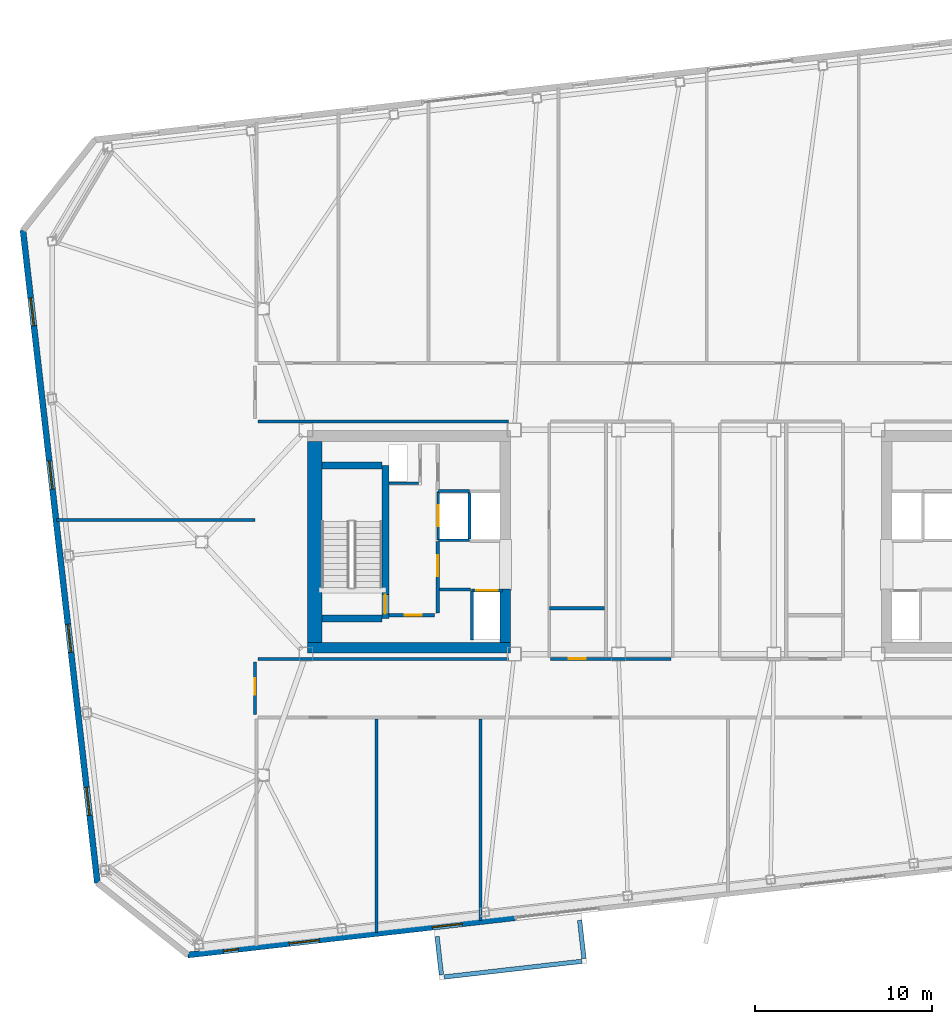
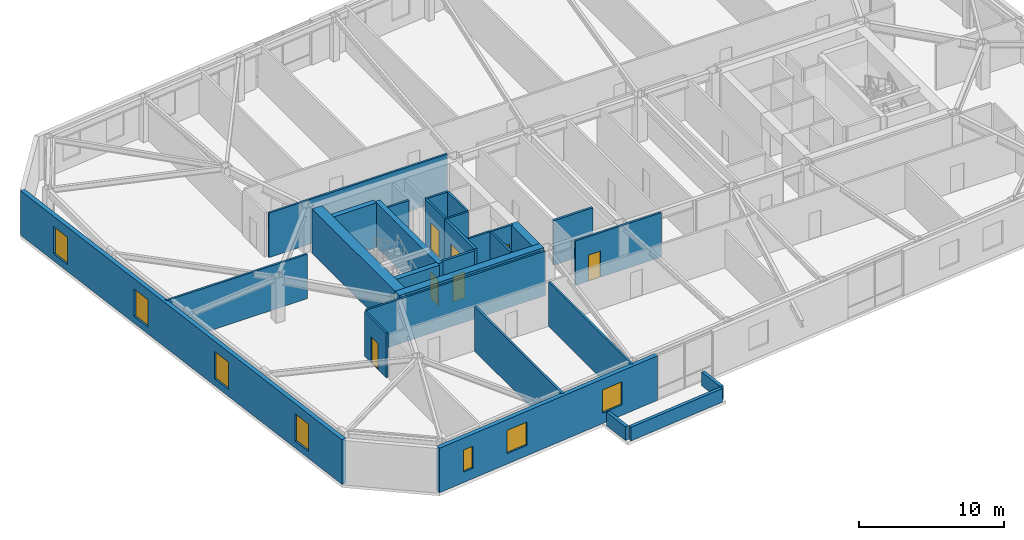
# One storey, part 12 of 18: 29 walls, 7 doors, 7 windows, 14 openings.
"""IFC4 building model written with IfcOpenShell, lengths in metres."""

from ifc_helpers import new_model, si_unit, direction, frame, frame_2d, origin, place, context, subcontext, project, spatial, rectangle, extrude, material, layer, layer_set, type_object, element, fill, save


model = new_model("IFC4")

# Units and contexts
model_context = context("Model", 3, precision=1e-05, world=origin(), true_north=direction((0.0, 1.0)))
body_context = subcontext(model_context, "Body", "Model", "MODEL_VIEW")
ifc_project = project(units=[si_unit("LENGTHUNIT", "METRE"), si_unit("AREAUNIT", "SQUARE_METRE"), si_unit("VOLUMEUNIT", "CUBIC_METRE"), si_unit("PLANEANGLEUNIT", "RADIAN"), si_unit("MASSUNIT", "GRAM", prefix="KILO")], contexts=[model_context])

# Site, building, storey
site_placement = place(None, origin())
site = spatial("IfcSite", under=ifc_project, at=site_placement, CompositionType="ELEMENT")
building_placement = place(site_placement, origin())
building = spatial("IfcBuilding", under=site, at=building_placement, Name="Tavrogorsk Clinical Tower", CompositionType="ELEMENT")
storey_placement = place(building_placement, frame((0.0, 0.0, 230.199951171875)))
storey = spatial("IfcBuildingStorey", under=building, at=storey_placement, Name="L53", CompositionType="ELEMENT", Elevation=230.199951171875)

# Wall, opening, door
ifc_material_1 = material(Name="Concrete B60", Category="concrete")
ifc_layer_1 = layer(ifc_material_1, 0.199951171875)
ifc_layer_set_1 = layer_set([ifc_layer_1], Name="Concrete B60")
wall_type_1 = type_object("IfcWallType", Name="CoreFireWall_200", PredefinedType="SOLIDWALL", material=ifc_layer_set_1)
wall_1_placement = place(storey_placement, frame((-17.3798828125, -4.139892578125, 0.0), z_axis=(0.0, 0.0, 1.0), x_axis=(1.0, 0.0, 0.0)))
wall_1 = element("IfcWall", 1, at=wall_1_placement, inside=storey, type_object=wall_type_1, Name="L53 Core West South Core Room Fire Wall", PredefinedType="SOLIDWALL", context=body_context, shape_type="SweptSolid", body=[
    extrude(rectangle(XDim=2.554931640625, YDim=0.199951171875, at=frame_2d((1.27734375, 0.0))), origin(), (0.0, 0.0, 1.0), 3.739990234375),
])
opening_1_placement = place(wall_1_placement, frame((0.8798828125, 0.0, 0.0)))
opening_1 = element("IfcOpeningElement", 2, at=opening_1_placement, cuts=wall_1, Name="Opening ID-02", PredefinedType="OPENING", context=body_context, shape_type="SweptSolid", body=[
    extrude(rectangle(XDim=0.949951171875, YDim=2.199951171875, at=frame_2d((0.47509765625, 1.10009765625))), frame((0.0, 0.10986328125, 0.0), z_axis=(0.0, -1.0, 0.0), x_axis=(1.0, 0.0, 0.0)), (0.0, 0.0, 1.0), 0.219970703125),
])
ifc_material_2 = material(Name="Laminated timber leaf on aluminium frame", Category="wood")
door_type_1 = type_object("IfcDoorType", Name="InteriorDoor_ID02_950", OperationType="NOTDEFINED", PredefinedType="DOOR", material=ifc_material_2)
door_1_placement = place(opening_1_placement, origin())
door_1 = element("IfcDoor", 3, at=door_1_placement, inside=storey, type_object=door_type_1, Name="L53 Core West South Core Room Door", OperationType="SINGLE_SWING_RIGHT", OverallHeight=2.199951171875, OverallWidth=0.949951171875, PredefinedType="DOOR", context=body_context, shape_type="SweptSolid", body=[
    extrude(rectangle(XDim=0.949951171875, YDim=2.199951171875, at=frame_2d((0.47509765625, 1.10009765625))), frame((0.0, 0.02490234375, 0.0), z_axis=(0.0, -1.0, 0.0), x_axis=(1.0, 0.0, 0.0)), (0.0, 0.0, 1.0), 0.050048828125),
])
fill(opening_1, door_1)

wall_2_placement = place(storey_placement, frame((-14.639892578125, -4.034912109375, 0.0), z_axis=(0.0, 0.0, 1.0), x_axis=(0.0, 1.0, 0.0)))
wall_2 = element("IfcWall", 4, at=wall_2_placement, inside=storey, type_object=wall_type_1, Name="L53 Core West Firefighting Lobby Fire Wall", PredefinedType="SOLIDWALL", context=body_context, shape_type="SweptSolid", body=[
    extrude(rectangle(XDim=4.074951171875, YDim=0.199951171875, at=frame_2d((2.03759765625, 0.0))), origin(), (0.0, 0.0, 1.0), 3.739990234375),
])
opening_2_placement = place(wall_2_placement, frame((2.090087890625, 0.0, 0.0)))
opening_2 = element("IfcOpeningElement", 5, at=opening_2_placement, cuts=wall_2, Name="Opening FD-01", PredefinedType="OPENING", context=body_context, shape_type="SweptSolid", body=[
    extrude(rectangle(XDim=1.199951171875, YDim=2.199951171875, at=frame_2d((0.60009765625, 1.10009765625))), frame((0.0, 0.10986328125, 0.0), z_axis=(0.0, -1.0, 0.0), x_axis=(1.0, 0.0, 0.0)), (0.0, 0.0, 1.0), 0.219970703125),
])
ifc_material_3 = material(Name="Galvanised steel fire-rated door assembly", Category="steel")
door_type_2 = type_object("IfcDoorType", Name="FireDoor_FD01_1200", OperationType="NOTDEFINED", PredefinedType="DOOR", material=ifc_material_3)
door_2_placement = place(opening_2_placement, origin())
door_2 = element("IfcDoor", 6, at=door_2_placement, inside=storey, type_object=door_type_2, Name="L53 Core West Firefighting Lobby Entry Door", OperationType="SINGLE_SWING_RIGHT", OverallHeight=2.199951171875, OverallWidth=1.199951171875, PredefinedType="DOOR", context=body_context, shape_type="SweptSolid", body=[
    extrude(rectangle(XDim=1.199951171875, YDim=2.199951171875, at=frame_2d((0.60009765625, 1.10009765625))), frame((0.0, 0.02490234375, 0.0), z_axis=(0.0, -1.0, 0.0), x_axis=(1.0, 0.0, 0.0)), (0.0, 0.0, 1.0), 0.050048828125),
])
fill(opening_2, door_2)

# Wall
ifc_material_4 = material(Name="Lightweight concrete blockwork B15", Category="masonry")
ifc_layer_2 = layer(ifc_material_4, 0.159912109375)
ifc_layer_set_2 = layer_set([ifc_layer_2], Name="Lightweight concrete blockwork B15")
wall_type_2 = type_object("IfcWallType", Name="PartitionWall_160", PredefinedType="PARTITIONING", material=ifc_layer_set_2)
wall_3_placement = place(storey_placement, frame((-14.534912109375, -2.699951171875, 0.0), z_axis=(0.0, 0.0, 1.0), x_axis=(1.0, 0.0, 0.0)))
element("IfcWall", 7, at=wall_3_placement, inside=storey, type_object=wall_type_2, Name="L53 Core West Freed Low-Bank North Partition", PredefinedType="PARTITIONING", context=body_context, shape_type="SweptSolid", body=[
    extrude(rectangle(XDim=1.760009765625, YDim=0.159912109375, at=frame_2d((0.8798828125, 0.0))), origin(), (0.0, 0.0, 1.0), 3.739990234375),
])

# Wall, opening, door
wall_4_placement = place(storey_placement, frame((-24.97998046875, -9.764892578125, 0.0), z_axis=(0.0, 0.0, 1.0), x_axis=(0.0, 1.0, 0.0)))
wall_4 = element("IfcWall", 8, at=wall_4_placement, inside=storey, type_object=wall_type_2, Name="L53 Corridor Partition 01", PredefinedType="PARTITIONING", context=body_context, shape_type="SweptSolid", body=[
    extrude(rectangle(XDim=2.97998046875, YDim=0.159912109375, at=frame_2d((1.489990234375, 0.0))), origin(), (0.0, 0.0, 1.0), 3.739990234375),
])
opening_3_placement = place(wall_4_placement, frame((1.10009765625, 0.0, 0.0)))
opening_3 = element("IfcOpeningElement", 9, at=opening_3_placement, cuts=wall_4, Name="Opening ID-02", PredefinedType="OPENING", context=body_context, shape_type="SweptSolid", body=[
    extrude(rectangle(XDim=0.949951171875, YDim=2.199951171875, at=frame_2d((0.47509765625, 1.10009765625))), frame((0.0, 0.08984375, 0.0), z_axis=(0.0, -1.0, 0.0), x_axis=(1.0, 0.0, 0.0)), (0.0, 0.0, 1.0), 0.179931640625),
])
door_3_placement = place(opening_3_placement, origin())
door_3 = element("IfcDoor", 10, at=door_3_placement, inside=storey, type_object=door_type_1, Name="L53 W Solarium Day Room & Lounge 1 Door", OperationType="SINGLE_SWING_LEFT", OverallHeight=2.199951171875, OverallWidth=0.949951171875, PredefinedType="DOOR", context=body_context, shape_type="SweptSolid", body=[
    extrude(rectangle(XDim=0.949951171875, YDim=2.199951171875, at=frame_2d((0.47509765625, 1.10009765625))), frame((0.0, 0.02490234375, 0.0), z_axis=(0.0, -1.0, 0.0), x_axis=(1.0, 0.0, 0.0)), (0.0, 0.0, 1.0), 0.050048828125),
])
fill(opening_3, door_3)

# Walls
for number, where, z_axis, x_axis, name in (
    (11, (-24.81494140625, -6.6201171875, 0.0), (0.0, 0.0, 1.0), (1.0, 0.0, 0.0), "L53 Corridor Partition 02"),
    (12, (-10.6298828125, 6.820068359375, 0.0), (0.0, 0.0, 1.0), (-1.0, 0.0, 0.0), "L53 Corridor Partition 03"),
):
    element("IfcWall", number, at=place(storey_placement, frame(where, z_axis=z_axis, x_axis=x_axis)), inside=storey, type_object=wall_type_2, Name=name, PredefinedType="PARTITIONING", context=body_context, shape_type="SweptSolid", body=[
        extrude(rectangle(XDim=14.18505859375, YDim=0.159912109375, at=frame_2d((7.092529296875, 0.0))), origin(), (0.0, 0.0, 1.0), 3.739990234375),
    ])

# Wall, opening, door
wall_5_placement = place(storey_placement, frame((-8.235107421875, -6.6201171875, 0.0), z_axis=(0.0, 0.0, 1.0), x_axis=(1.0, 0.0, 0.0)))
wall_5 = element("IfcWall", 13, at=wall_5_placement, inside=storey, type_object=wall_type_2, Name="L53 Corridor Partition 18", PredefinedType="PARTITIONING", context=body_context, shape_type="SweptSolid", body=[
    extrude(rectangle(XDim=6.820068359375, YDim=0.159912109375, at=frame_2d((3.41015625, 0.0))), origin(), (0.0, 0.0, 1.0), 3.739990234375),
])
opening_4_placement = place(wall_5_placement, frame((1.029052734375, 0.0, 0.0)))
opening_4 = element("IfcOpeningElement", 14, at=opening_4_placement, cuts=wall_5, Name="Opening ID-02", PredefinedType="OPENING", context=body_context, shape_type="SweptSolid", body=[
    extrude(rectangle(XDim=0.949951171875, YDim=2.199951171875, at=frame_2d((0.47509765625, 1.10009765625))), frame((0.0, 0.08984375, 0.0), z_axis=(0.0, -1.0, 0.0), x_axis=(1.0, 0.0, 0.0)), (0.0, 0.0, 1.0), 0.179931640625),
])
door_4_placement = place(opening_4_placement, origin())
door_4 = element("IfcDoor", 15, at=door_4_placement, inside=storey, type_object=door_type_1, Name="L53 Accessible Patient Lavatory Door", OperationType="SINGLE_SWING_LEFT", OverallHeight=2.199951171875, OverallWidth=0.949951171875, PredefinedType="DOOR", context=body_context, shape_type="SweptSolid", body=[
    extrude(rectangle(XDim=0.949951171875, YDim=2.199951171875, at=frame_2d((0.47509765625, 1.10009765625))), frame((0.0, 0.02490234375, 0.0), z_axis=(0.0, -1.0, 0.0), x_axis=(1.0, 0.0, 0.0)), (0.0, 0.0, 1.0), 0.050048828125),
])
fill(opening_4, door_4)

# Walls
wall_6_placement = place(storey_placement, frame((-12.2099609375, -21.427490234375, 0.0), z_axis=(0.0, 0.0, 1.0), x_axis=(0.0, 1.0, 0.0)))
element("IfcWall", 16, at=wall_6_placement, inside=storey, type_object=wall_type_2, Name="L53 South Room Partition 1", PredefinedType="PARTITIONING", context=body_context, shape_type="SweptSolid", body=[
    extrude(rectangle(XDim=11.41259765625, YDim=0.159912109375, at=frame_2d((5.706298828125, 0.0))), origin(), (0.0, 0.0, 1.0), 3.739990234375),
])
wall_7_placement = place(storey_placement, frame((-18.10498046875, -22.09912109375, 0.0), z_axis=(0.0, 0.0, 1.0), x_axis=(0.0, 1.0, 0.0)))
element("IfcWall", 17, at=wall_7_placement, inside=storey, type_object=wall_type_2, Name="L53 South Sub-Partition 1", PredefinedType="PARTITIONING", context=body_context, shape_type="SweptSolid", body=[
    extrude(rectangle(XDim=12.084228515625, YDim=0.159912109375, at=frame_2d((6.0419921875, 0.0))), origin(), (0.0, 0.0, 1.0), 3.739990234375),
])
wall_8_placement = place(storey_placement, frame((-36.2294921875, 1.25, 0.0), z_axis=(0.0, 0.0, 1.0), x_axis=(1.0, 0.0, 0.0)))
element("IfcWall", 18, at=wall_8_placement, inside=storey, type_object=wall_type_2, Name="L53 W Wing Divider 1", PredefinedType="PARTITIONING", context=body_context, shape_type="SweptSolid", body=[
    extrude(rectangle(XDim=11.24951171875, YDim=0.159912109375, at=frame_2d((5.624755859375, 0.0))), origin(), (0.0, 0.0, 1.0), 3.739990234375),
])
ifc_material_5 = material(Name="Lightweight concrete blockwork B20", Category="masonry")
ifc_layer_3 = layer(ifc_material_5, 0.179931640625)
ifc_layer_set_3 = layer_set([ifc_layer_3], Name="Lightweight concrete blockwork B20")
wall_type_3 = type_object("IfcWallType", Name="PartitionWall_180", PredefinedType="PARTITIONING", material=ifc_layer_set_3)
wall_9_placement = place(storey_placement, frame((-8.31494140625, -3.75, 0.0), z_axis=(0.0, 0.0, 1.0), x_axis=(1.0, 0.0, 0.0)))
element("IfcWall", 19, at=wall_9_placement, inside=storey, type_object=wall_type_3, Name="L53 Central Spine Partition 3", PredefinedType="PARTITIONING", context=body_context, shape_type="SweptSolid", body=[
    extrude(rectangle(XDim=3.119873046875, YDim=0.179931640625, at=frame_2d((1.56005859375, 0.0))), origin(), (0.0, 0.0, 1.0), 3.739990234375),
])

# Wall, openings, windows
ifc_material_6 = material(Name="Precast concrete B45 with limestone cladding", Category="masonry")
ifc_layer_4 = layer(ifc_material_6, 0.340087890625)
ifc_layer_set_4 = layer_set([ifc_layer_4], Name="Precast concrete B45 with limestone cladding")
wall_type_4 = type_object("IfcWallType", Name="PrecastLimestoneWall_340", PredefinedType="STANDARD", material=ifc_layer_set_4)
wall_10_placement = place(storey_placement, frame((-28.78271484375, -23.38623046875, 0.0), z_axis=(0.0, 0.0, 1.0), x_axis=(0.993572271362, 0.113199565282, 0.0)))
wall_10 = element("IfcWall", 20, at=wall_10_placement, inside=storey, type_object=wall_type_4, Name="L53 S Limestone Facade Wall 1", PredefinedType="STANDARD", context=body_context, shape_type="SweptSolid", body=[
    extrude(rectangle(XDim=18.6513671875, YDim=0.340087890625, at=frame_2d((9.32568359375, 0.0))), origin(), (0.0, 0.0, 1.0), 3.739990234375),
])
opening_5_placement = place(wall_10_placement, frame((2.030029296875, 0.0, 0.8798828125)))
opening_5 = element("IfcOpeningElement", 21, at=opening_5_placement, cuts=wall_10, Name="Opening WN-06", PredefinedType="OPENING", context=body_context, shape_type="SweptSolid", body=[
    extrude(rectangle(XDim=0.85009765625, YDim=1.85009765625, at=frame_2d((0.425048828125, 0.925048828125))), frame((0.0, 0.179931640625, 0.0), z_axis=(0.0, -1.0, 0.0), x_axis=(1.0, 0.0, 0.0)), (0.0, 0.0, 1.0), 0.360107421875),
])
opening_6_placement = place(wall_10_placement, frame((5.778564453125, 0.0, 0.8798828125)))
opening_6 = element("IfcOpeningElement", 22, at=opening_6_placement, cuts=wall_10, Name="Opening WN-15", PredefinedType="OPENING", context=body_context, shape_type="SweptSolid", body=[
    extrude(rectangle(XDim=1.699951171875, YDim=1.949951171875, at=frame_2d((0.85009765625, 0.97509765625))), frame((0.0, 0.179931640625, 0.0), z_axis=(0.0, -1.0, 0.0), x_axis=(1.0, 0.0, 0.0)), (0.0, 0.0, 1.0), 0.360107421875),
])
opening_7_placement = place(wall_10_placement, frame((13.927001953125, 0.0, 0.8798828125)))
opening_7 = element("IfcOpeningElement", 23, at=opening_7_placement, cuts=wall_10, Name="Opening WN-15", PredefinedType="OPENING", context=body_context, shape_type="SweptSolid", body=[
    extrude(rectangle(XDim=1.699951171875, YDim=1.949951171875, at=frame_2d((0.85009765625, 0.97509765625))), frame((0.0, 0.179931640625, 0.0), z_axis=(0.0, -1.0, 0.0), x_axis=(1.0, 0.0, 0.0)), (0.0, 0.0, 1.0), 0.360107421875),
])
ifc_material_7 = material(Name="Thermally broken aluminium frame and triple IGU", Category="aluminium")
window_type_1 = type_object("IfcWindowType", Name="MullionSubWin_850x1850", PartitioningType="SINGLE_PANEL", PredefinedType="WINDOW", material=ifc_material_7)
window_1_placement = place(opening_5_placement, origin())
window_1 = element("IfcWindow", 24, at=window_1_placement, inside=storey, type_object=window_type_1, Name="L53 S Mullion Split Window 01A", OverallHeight=1.85009765625, OverallWidth=0.85009765625, PartitioningType="SINGLE_PANEL", PredefinedType="WINDOW", context=body_context, shape_type="SweptSolid", body=[
    extrude(rectangle(XDim=0.85009765625, YDim=1.85009765625, at=frame_2d((0.425048828125, 0.925048828125))), frame((0.0, 0.030029296875, 0.0), z_axis=(0.0, -1.0, 0.0), x_axis=(1.0, 0.0, 0.0)), (0.0, 0.0, 1.0), 0.06005859375),
])
fill(opening_5, window_1)
ifc_material_8 = material(Name="Thermally broken aluminium frame and triple IGU", Category="aluminium")
window_type_2 = type_object("IfcWindowType", Name="OfficeChicagoWin_1700x1950", PartitioningType="SINGLE_PANEL", PredefinedType="WINDOW", material=ifc_material_8)
window_2_placement = place(opening_6_placement, origin())
window_2 = element("IfcWindow", 25, at=window_2_placement, inside=storey, type_object=window_type_2, Name="L53 S Chicago Window 02", OverallHeight=1.949951171875, OverallWidth=1.699951171875, PartitioningType="SINGLE_PANEL", PredefinedType="WINDOW", context=body_context, shape_type="SweptSolid", body=[
    extrude(rectangle(XDim=1.699951171875, YDim=1.949951171875, at=frame_2d((0.85009765625, 0.97509765625))), frame((0.0, 0.030029296875, 0.0), z_axis=(0.0, -1.0, 0.0), x_axis=(1.0, 0.0, 0.0)), (0.0, 0.0, 1.0), 0.06005859375),
])
fill(opening_6, window_2)
window_3_placement = place(opening_7_placement, origin())
window_3 = element("IfcWindow", 26, at=window_3_placement, inside=storey, type_object=window_type_2, Name="L53 S Chicago Window 04", OverallHeight=1.949951171875, OverallWidth=1.699951171875, PartitioningType="SINGLE_PANEL", PredefinedType="WINDOW", context=body_context, shape_type="SweptSolid", body=[
    extrude(rectangle(XDim=1.699951171875, YDim=1.949951171875, at=frame_2d((0.85009765625, 0.97509765625))), frame((0.0, 0.030029296875, 0.0), z_axis=(0.0, -1.0, 0.0), x_axis=(1.0, 0.0, 0.0)), (0.0, 0.0, 1.0), 0.06005859375),
])
fill(opening_7, window_3)

wall_11_placement = place(storey_placement, frame((-38.1181640625, 17.65087890625, 0.0), z_axis=(0.0, 0.0, 1.0), x_axis=(0.11320360501, -0.9935718111, 0.0)))
wall_11 = element("IfcWall", 27, at=wall_11_placement, inside=storey, type_object=wall_type_4, Name="L53 W Pleated Limestone Wing Wall", PredefinedType="STANDARD", context=body_context, shape_type="SweptSolid", body=[
    extrude(rectangle(XDim=37.199951171875, YDim=0.340087890625, at=frame_2d((18.60009765625, 0.0))), origin(), (0.0, 0.0, 1.0), 3.739990234375),
])
opening_8_placement = place(wall_11_placement, frame((3.85009765625, 0.0, 0.580078125)))
opening_8 = element("IfcOpeningElement", 28, at=opening_8_placement, cuts=wall_11, Name="Opening WN-07", PredefinedType="OPENING", context=body_context, shape_type="SweptSolid", body=[
    extrude(rectangle(XDim=1.60009765625, YDim=2.300048828125, at=frame_2d((0.800048828125, 1.14990234375))), frame((0.0, 0.179931640625, 0.0), z_axis=(0.0, -1.0, 0.0), x_axis=(1.0, 0.0, 0.0)), (0.0, 0.0, 1.0), 0.360107421875),
])
opening_9_placement = place(wall_11_placement, frame((13.14990234375, 0.0, 0.580078125)))
opening_9 = element("IfcOpeningElement", 29, at=opening_9_placement, cuts=wall_11, Name="Opening WN-07", PredefinedType="OPENING", context=body_context, shape_type="SweptSolid", body=[
    extrude(rectangle(XDim=1.60009765625, YDim=2.300048828125, at=frame_2d((0.800048828125, 1.14990234375))), frame((0.0, 0.179931640625, 0.0), z_axis=(0.0, -1.0, 0.0), x_axis=(1.0, 0.0, 0.0)), (0.0, 0.0, 1.0), 0.360107421875),
])
opening_10_placement = place(wall_11_placement, frame((22.449951171875, 0.0, 0.580078125)))
opening_10 = element("IfcOpeningElement", 30, at=opening_10_placement, cuts=wall_11, Name="Opening WN-07", PredefinedType="OPENING", context=body_context, shape_type="SweptSolid", body=[
    extrude(rectangle(XDim=1.60009765625, YDim=2.300048828125, at=frame_2d((0.800048828125, 1.14990234375))), frame((0.0, 0.179931640625, 0.0), z_axis=(0.0, -1.0, 0.0), x_axis=(1.0, 0.0, 0.0)), (0.0, 0.0, 1.0), 0.360107421875),
])
opening_11_placement = place(wall_11_placement, frame((31.75, 0.0, 0.580078125)))
opening_11 = element("IfcOpeningElement", 31, at=opening_11_placement, cuts=wall_11, Name="Opening WN-07", PredefinedType="OPENING", context=body_context, shape_type="SweptSolid", body=[
    extrude(rectangle(XDim=1.60009765625, YDim=2.300048828125, at=frame_2d((0.800048828125, 1.14990234375))), frame((0.0, 0.179931640625, 0.0), z_axis=(0.0, -1.0, 0.0), x_axis=(1.0, 0.0, 0.0)), (0.0, 0.0, 1.0), 0.360107421875),
])
ifc_material_9 = material(Name="Thermally broken aluminium frame and triple IGU", Category="aluminium")
window_type_3 = type_object("IfcWindowType", Name="PleatSlotWin_1600x2300", PartitioningType="SINGLE_PANEL", PredefinedType="WINDOW", material=ifc_material_9)
window_4_placement = place(opening_8_placement, origin())
window_4 = element("IfcWindow", 32, at=window_4_placement, inside=storey, type_object=window_type_3, Name="L53 W Pleat Slot Window 1", OverallHeight=2.300048828125, OverallWidth=1.60009765625, PartitioningType="SINGLE_PANEL", PredefinedType="WINDOW", context=body_context, shape_type="SweptSolid", body=[
    extrude(rectangle(XDim=1.60009765625, YDim=2.300048828125, at=frame_2d((0.800048828125, 1.14990234375))), frame((0.0, 0.030029296875, 0.0), z_axis=(0.0, -1.0, 0.0), x_axis=(1.0, 0.0, 0.0)), (0.0, 0.0, 1.0), 0.06005859375),
])
fill(opening_8, window_4)
window_5_placement = place(opening_9_placement, origin())
window_5 = element("IfcWindow", 33, at=window_5_placement, inside=storey, type_object=window_type_3, Name="L53 W Pleat Slot Window 2", OverallHeight=2.300048828125, OverallWidth=1.60009765625, PartitioningType="SINGLE_PANEL", PredefinedType="WINDOW", context=body_context, shape_type="SweptSolid", body=[
    extrude(rectangle(XDim=1.60009765625, YDim=2.300048828125, at=frame_2d((0.800048828125, 1.14990234375))), frame((0.0, 0.030029296875, 0.0), z_axis=(0.0, -1.0, 0.0), x_axis=(1.0, 0.0, 0.0)), (0.0, 0.0, 1.0), 0.06005859375),
])
fill(opening_9, window_5)
window_6_placement = place(opening_10_placement, origin())
window_6 = element("IfcWindow", 34, at=window_6_placement, inside=storey, type_object=window_type_3, Name="L53 W Pleat Slot Window 3", OverallHeight=2.300048828125, OverallWidth=1.60009765625, PartitioningType="SINGLE_PANEL", PredefinedType="WINDOW", context=body_context, shape_type="SweptSolid", body=[
    extrude(rectangle(XDim=1.60009765625, YDim=2.300048828125, at=frame_2d((0.800048828125, 1.14990234375))), frame((0.0, 0.030029296875, 0.0), z_axis=(0.0, -1.0, 0.0), x_axis=(1.0, 0.0, 0.0)), (0.0, 0.0, 1.0), 0.06005859375),
])
fill(opening_10, window_6)
window_7_placement = place(opening_11_placement, origin())
window_7 = element("IfcWindow", 35, at=window_7_placement, inside=storey, type_object=window_type_3, Name="L53 W Pleat Slot Window 4", OverallHeight=2.300048828125, OverallWidth=1.60009765625, PartitioningType="SINGLE_PANEL", PredefinedType="WINDOW", context=body_context, shape_type="SweptSolid", body=[
    extrude(rectangle(XDim=1.60009765625, YDim=2.300048828125, at=frame_2d((0.800048828125, 1.14990234375))), frame((0.0, 0.030029296875, 0.0), z_axis=(0.0, -1.0, 0.0), x_axis=(1.0, 0.0, 0.0)), (0.0, 0.0, 1.0), 0.06005859375),
])
fill(opening_11, window_7)

# Walls
ifc_material_10 = material(Name="Concrete B60", Category="concrete")
ifc_layer_5 = layer(ifc_material_10, 0.25)
ifc_layer_set_5 = layer_set([ifc_layer_5], Name="Concrete B60")
wall_type_5 = type_object("IfcWallType", Name="RoofParapetWall_250", PredefinedType="PARAPET", material=ifc_layer_set_5)
wall_12_placement = place(storey_placement, frame((-14.670166015625, -22.341796875, 0.0), z_axis=(0.0, 0.0, 1.0), x_axis=(0.113221265394, -0.993569798787, 0.0)))
element("IfcWall", 36, at=wall_12_placement, inside=storey, type_object=wall_type_5, Name="L53 Day-Room Roof Coping Parapet DRB-07-1", PredefinedType="PARAPET", context=body_context, shape_type="SweptSolid", body=[
    extrude(rectangle(XDim=2.179931640625, YDim=0.25, at=frame_2d((1.08984375, 0.0))), origin(), (0.0, 0.0, 1.0), 1.150146484375),
])
wall_13_placement = place(storey_placement, frame((-14.268310546875, -24.631103515625, 0.0), z_axis=(0.0, 0.0, 1.0), x_axis=(0.993572659553, 0.11319615801, 0.0)))
element("IfcWall", 37, at=wall_13_placement, inside=storey, type_object=wall_type_5, Name="L53 Day-Room Roof Coping Parapet DRB-07-2", PredefinedType="PARAPET", context=body_context, shape_type="SweptSolid", body=[
    extrude(rectangle(XDim=7.83984375, YDim=0.25, at=frame_2d((3.919921875, 0.0))), origin(), (0.0, 0.0, 1.0), 1.150146484375),
])
wall_14_placement = place(storey_placement, frame((-6.35546875, -23.588623046875, 0.0), z_axis=(0.0, 0.0, 1.0), x_axis=(-0.113221265394, 0.993569798787, 0.0)))
element("IfcWall", 38, at=wall_14_placement, inside=storey, type_object=wall_type_5, Name="L53 Day-Room Roof Coping Parapet DRB-07-3", PredefinedType="PARAPET", context=body_context, shape_type="SweptSolid", body=[
    extrude(rectangle(XDim=2.179931640625, YDim=0.25, at=frame_2d((1.08984375, 0.0))), origin(), (0.0, 0.0, 1.0), 1.150146484375),
])

# Wall, opening, door
ifc_material_11 = material(Name="Lightweight concrete blockwork B25", Category="masonry")
ifc_layer_6 = layer(ifc_material_11, 0.159912109375)
ifc_layer_set_6 = layer_set([ifc_layer_6], Name="Lightweight concrete blockwork B25")
wall_type_6 = type_object("IfcWallType", Name="ShaftWall_160", PredefinedType="PARTITIONING", material=ifc_layer_set_6)
wall_15_placement = place(storey_placement, frame((-14.60009765625, 0.1201171875, 0.0), z_axis=(0.0, 0.0, 1.0), x_axis=(0.0, 1.0, 0.0)))
wall_15 = element("IfcWall", 39, at=wall_15_placement, inside=storey, type_object=wall_type_6, Name="L53 FFL-W Firefighting Lift Front Wall", PredefinedType="PARTITIONING", context=body_context, shape_type="SweptSolid", body=[
    extrude(rectangle(XDim=2.739990234375, YDim=0.159912109375, at=frame_2d((1.3701171875, 0.0))), origin(), (0.0, 0.0, 1.0), 3.739990234375),
])
opening_12_placement = place(wall_15_placement, frame((0.77001953125, 0.0, 0.0)))
opening_12 = element("IfcOpeningElement", 40, at=opening_12_placement, cuts=wall_15, Name="Opening LD", PredefinedType="OPENING", context=body_context, shape_type="SweptSolid", body=[
    extrude(rectangle(XDim=1.199951171875, YDim=2.199951171875, at=frame_2d((0.60009765625, 1.10009765625))), frame((0.0, 0.08984375, 0.0), z_axis=(0.0, -1.0, 0.0), x_axis=(1.0, 0.0, 0.0)), (0.0, 0.0, 1.0), 0.179931640625),
])
ifc_material_12 = material(Name="Brushed stainless steel AISI 304 sliding doors", Category="steel")
door_type_3 = type_object("IfcDoorType", Name="LiftLandingDoor_LD_1200", OperationType="SLIDING_TO_LEFT", PredefinedType="DOOR", material=ifc_material_12)
door_5_placement = place(opening_12_placement, origin())
door_5 = element("IfcDoor", 41, at=door_5_placement, inside=storey, type_object=door_type_3, Name="L53 FFL-W Sliding Lift Landing Door", OperationType="SLIDING_TO_LEFT", OverallHeight=2.199951171875, OverallWidth=1.199951171875, PredefinedType="DOOR", context=body_context, shape_type="SweptSolid", body=[
    extrude(rectangle(XDim=1.199951171875, YDim=2.199951171875, at=frame_2d((0.60009765625, 1.10009765625))), frame((0.0, 0.02490234375, 0.0), z_axis=(0.0, -1.0, 0.0), x_axis=(1.0, 0.0, 0.0)), (0.0, 0.0, 1.0), 0.050048828125),
])
fill(opening_12, door_5)

# Walls
for number, where, z_axis, x_axis, name in (
    (42, (-14.60009765625, 0.10009765625, 0.0), (0.0, 0.0, 1.0), (1.0, 0.0, 0.0), "L53 FFL-W Shaft South Wall"),
    (43, (-14.60009765625, 2.8798828125, 0.0), (0.0, 0.0, 1.0), (1.0, 0.0, 0.0), "L53 FFL-W Shaft North Wall"),
):
    element("IfcWall", number, at=place(storey_placement, frame(where, z_axis=z_axis, x_axis=x_axis)), inside=storey, type_object=wall_type_6, Name=name, PredefinedType="PARTITIONING", context=body_context, shape_type="SweptSolid", body=[
        extrude(rectangle(XDim=1.760009765625, YDim=0.159912109375, at=frame_2d((0.8798828125, 0.0))), origin(), (0.0, 0.0, 1.0), 3.739990234375),
    ])
wall_16_placement = place(storey_placement, frame((-12.840087890625, 0.179931640625, 0.0), z_axis=(0.0, 0.0, 1.0), x_axis=(0.0, 1.0, 0.0)))
element("IfcWall", 44, at=wall_16_placement, inside=storey, type_object=wall_type_6, Name="L53 FFL-W Shaft Back Wall", PredefinedType="PARTITIONING", context=body_context, shape_type="SweptSolid", body=[
    extrude(rectangle(XDim=2.6201171875, YDim=0.159912109375, at=frame_2d((1.31005859375, 0.0))), origin(), (0.0, 0.0, 1.0), 3.739990234375),
])

# Wall, opening, door
wall_17_placement = place(storey_placement, frame((-12.72998046875, -2.75, 0.0), z_axis=(0.0, 0.0, 1.0), x_axis=(1.0, 0.0, 0.0)))
wall_17 = element("IfcWall", 45, at=wall_17_placement, inside=storey, type_object=wall_type_6, Name="L53 LP-M1 Lift Shaft Portal Wall", PredefinedType="PARTITIONING", context=body_context, shape_type="SweptSolid", body=[
    extrude(rectangle(XDim=1.760009765625, YDim=0.159912109375, at=frame_2d((0.8798828125, 0.0))), origin(), (0.0, 0.0, 1.0), 3.739990234375),
])
opening_13_placement = place(wall_17_placement, frame((0.280029296875, 0.0, 0.0)))
opening_13 = element("IfcOpeningElement", 46, at=opening_13_placement, cuts=wall_17, Name="Opening LD", PredefinedType="OPENING", context=body_context, shape_type="SweptSolid", body=[
    extrude(rectangle(XDim=1.199951171875, YDim=2.199951171875, at=frame_2d((0.60009765625, 1.10009765625))), frame((0.0, 0.08984375, 0.0), z_axis=(0.0, -1.0, 0.0), x_axis=(1.0, 0.0, 0.0)), (0.0, 0.0, 1.0), 0.179931640625),
])
door_6_placement = place(opening_13_placement, origin())
door_6 = element("IfcDoor", 47, at=door_6_placement, inside=storey, type_object=door_type_3, Name="L53 LP-M1 Sliding Lift Landing Door", OperationType="SLIDING_TO_LEFT", OverallHeight=2.199951171875, OverallWidth=1.199951171875, PredefinedType="DOOR", context=body_context, shape_type="SweptSolid", body=[
    extrude(rectangle(XDim=1.199951171875, YDim=2.199951171875, at=frame_2d((0.60009765625, 1.10009765625))), frame((0.0, 0.02490234375, 0.0), z_axis=(0.0, -1.0, 0.0), x_axis=(1.0, 0.0, 0.0)), (0.0, 0.0, 1.0), 0.050048828125),
])
fill(opening_13, door_6)

# Walls
wall_18_placement = place(storey_placement, frame((-17.3798828125, 3.320068359375, 0.0), z_axis=(0.0, 0.0, 1.0), x_axis=(1.0, 0.0, 0.0)))
element("IfcWall", 48, at=wall_18_placement, inside=storey, type_object=wall_type_6, Name="L53 Core West Riser South Wall", PredefinedType="PARTITIONING", context=body_context, shape_type="SweptSolid", body=[
    extrude(rectangle(XDim=1.65478515625, YDim=0.159912109375, at=frame_2d((0.827392578125, 0.0))), origin(), (0.0, 0.0, 1.0), 3.739990234375),
])
wall_19_placement = place(storey_placement, frame((-12.68994140625, -5.56005859375, 0.0), z_axis=(0.0, 0.0, 1.0), x_axis=(0.0, 1.0, 0.0)))
element("IfcWall", 49, at=wall_19_placement, inside=storey, type_object=wall_type_6, Name="L53 Core West Freed Low-Bank Shaft Divider", PredefinedType="PARTITIONING", context=body_context, shape_type="SweptSolid", body=[
    extrude(rectangle(XDim=2.775146484375, YDim=0.159912109375, at=frame_2d((1.3876953125, 0.0))), origin(), (0.0, 0.0, 1.0), 3.739990234375),
])

# Wall, opening, door
ifc_material_13 = material(Name="Concrete B80", Category="concrete")
ifc_layer_7 = layer(ifc_material_13, 0.39990234375)
ifc_layer_set_7 = layer_set([ifc_layer_7], Name="Concrete B80")
wall_type_7 = type_object("IfcWallType", Name="ShearWall_400", PredefinedType="SHEAR", material=ifc_layer_set_7)
wall_20_placement = place(storey_placement, frame((-17.60009765625, -4.324951171875, 0.0), z_axis=(0.0, 0.0, 1.0), x_axis=(0.0, 1.0, 0.0)))
wall_20 = element("IfcWall", 50, at=wall_20_placement, inside=storey, type_object=wall_type_7, Name="L53 Core West Stair Shaft Inner Shear Wall", PredefinedType="SHEAR", context=body_context, shape_type="SweptSolid", body=[
    extrude(rectangle(XDim=8.64990234375, YDim=0.39990234375, at=frame_2d((4.324951171875, 0.0))), origin(), (0.0, 0.0, 1.0), 3.739990234375),
])
opening_14_placement = place(wall_20_placement, frame((0.25, 0.0, 0.0)))
opening_14 = element("IfcOpeningElement", 51, at=opening_14_placement, cuts=wall_20, Name="Opening SD-01", PredefinedType="OPENING", context=body_context, shape_type="SweptSolid", body=[
    extrude(rectangle(XDim=1.10009765625, YDim=2.199951171875, at=frame_2d((0.550048828125, 1.10009765625))), frame((0.0, 0.2099609375, 0.0), z_axis=(0.0, -1.0, 0.0), x_axis=(1.0, 0.0, 0.0)), (0.0, 0.0, 1.0), 0.419921875),
])
ifc_material_14 = material(Name="Galvanised steel smoke-tight fire door assembly", Category="steel")
door_type_4 = type_object("IfcDoorType", Name="StairFireDoor_SD01_1100", OperationType="NOTDEFINED", PredefinedType="DOOR", material=ifc_material_14)
door_7_placement = place(opening_14_placement, origin())
door_7 = element("IfcDoor", 52, at=door_7_placement, inside=storey, type_object=door_type_4, Name="L53 ST-W Exit Stair Door", OperationType="SINGLE_SWING_RIGHT", OverallHeight=2.199951171875, OverallWidth=1.10009765625, PredefinedType="DOOR", context=body_context, shape_type="SweptSolid", body=[
    extrude(rectangle(XDim=1.10009765625, YDim=2.199951171875, at=frame_2d((0.550048828125, 1.10009765625))), frame((0.0, 0.02490234375, 0.0), z_axis=(0.0, -1.0, 0.0), x_axis=(1.0, 0.0, 0.0)), (0.0, 0.0, 1.0), 0.050048828125),
])
fill(opening_14, door_7)

# Walls
for number, where, z_axis, x_axis, name in (
    (53, (-21.199951171875, -4.324951171875, 0.0), (0.0, 0.0, 1.0), (1.0, 0.0, 0.0), "L53 Core West Stair Shaft South Shear Wall"),
    (54, (-21.199951171875, 4.324951171875, 0.0), (0.0, 0.0, 1.0), (1.0, 0.0, 0.0), "L53 Core West Stair Shaft North Shear Wall"),
):
    element("IfcWall", number, at=place(storey_placement, frame(where, z_axis=z_axis, x_axis=x_axis)), inside=storey, type_object=wall_type_7, Name=name, PredefinedType="SHEAR", context=body_context, shape_type="SweptSolid", body=[
        extrude(rectangle(XDim=3.39990234375, YDim=0.39990234375, at=frame_2d((1.699951171875, 0.0))), origin(), (0.0, 0.0, 1.0), 3.739990234375),
    ])
ifc_material_15 = material(Name="Concrete B80", Category="concrete")
ifc_layer_8 = layer(ifc_material_15, 0.60009765625)
ifc_layer_set_8 = layer_set([ifc_layer_8], Name="Concrete B80")
wall_type_8 = type_object("IfcWallType", Name="ShearWall_600", PredefinedType="SHEAR", material=ifc_layer_set_8)
wall_21_placement = place(storey_placement, frame((-22.0, -6.0, 0.0), z_axis=(0.0, 0.0, 1.0), x_axis=(1.0, 0.0, 0.0)))
element("IfcWall", 55, at=wall_21_placement, inside=storey, type_object=wall_type_8, Name="L53 Core West South Shear Wall", PredefinedType="SHEAR", context=body_context, shape_type="SweptSolid", body=[
    extrude(rectangle(XDim=11.5, YDim=0.60009765625, at=frame_2d((5.75, 0.0))), origin(), (0.0, 0.0, 1.0), 3.739990234375),
])
wall_22_placement = place(storey_placement, frame((-10.800048828125, -5.699951171875, 0.0), z_axis=(0.0, 0.0, 1.0), x_axis=(0.0, 1.0, 0.0)))
element("IfcWall", 56, at=wall_22_placement, inside=storey, type_object=wall_type_8, Name="L53 Core West Inner South Pier", PredefinedType="SHEAR", context=body_context, shape_type="SweptSolid", body=[
    extrude(rectangle(XDim=3.050048828125, YDim=0.60009765625, at=frame_2d((1.52490234375, 0.0))), origin(), (0.0, 0.0, 1.0), 3.739990234375),
])
ifc_material_16 = material(Name="Concrete B80", Category="concrete")
ifc_layer_9 = layer(ifc_material_16, 0.800048828125)
ifc_layer_set_9 = layer_set([ifc_layer_9], Name="Concrete B80")
wall_type_9 = type_object("IfcWallType", Name="ShearWall_800", PredefinedType="SHEAR", material=ifc_layer_set_9)
wall_23_placement = place(storey_placement, frame((-21.60009765625, -5.699951171875, 0.0), z_axis=(0.0, 0.0, 1.0), x_axis=(0.0, 1.0, 0.0)))
element("IfcWall", 57, at=wall_23_placement, inside=storey, type_object=wall_type_9, Name="L53 Core West End Shear Wall", PredefinedType="SHEAR", context=body_context, shape_type="SweptSolid", body=[
    extrude(rectangle(XDim=11.39990234375, YDim=0.800048828125, at=frame_2d((5.699951171875, 0.0))), origin(), (0.0, 0.0, 1.0), 3.739990234375),
])

save(model, "model.ifc")
